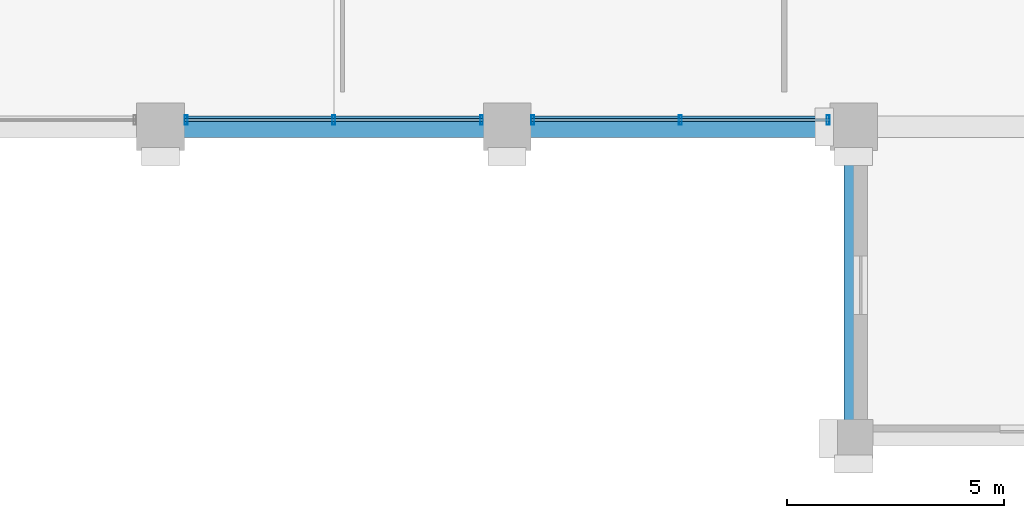
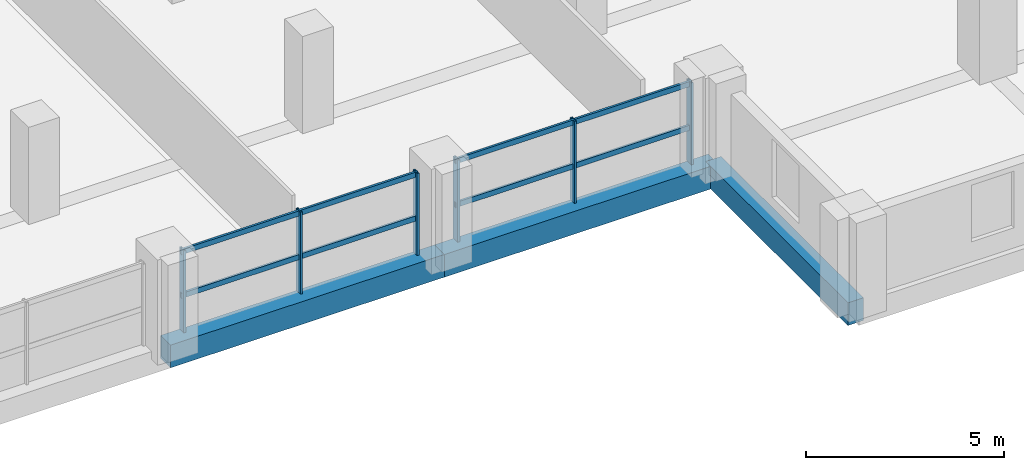
# One storey, part 6 of 21: 10 members, 3 beams, 2 elements without a shape of their own.
"""IFC4 building model written with IfcOpenShell, lengths in metres."""

from ifc_helpers import new_model, si_unit, direction, frame, origin, origin_2d, place, context, subcontext, project, spatial, rectangle, hollow_rectangle, extrude, material, material_profile, profile_set, type_object, element, aggregate, save


model = new_model("IFC4")

# Units and contexts
model_context = context("Model", 3, precision=1e-05, world=origin(), true_north=direction((0.0, 1.0)))
body_context = subcontext(model_context, "Body", "Model", "MODEL_VIEW")
ifc_project = project(units=[si_unit("LENGTHUNIT", "METRE"), si_unit("AREAUNIT", "SQUARE_METRE"), si_unit("VOLUMEUNIT", "CUBIC_METRE"), si_unit("PLANEANGLEUNIT", "RADIAN"), si_unit("MASSUNIT", "GRAM", prefix="KILO")], contexts=[model_context])

# Site, building, storey
site_placement = place(None, origin())
site = spatial("IfcSite", under=ifc_project, at=site_placement, CompositionType="ELEMENT")
building_placement = place(site_placement, origin())
building = spatial("IfcBuilding", under=site, at=building_placement, Name="Akrevak Sports Hall", CompositionType="ELEMENT")
storey_placement = place(building_placement, frame((0.0, 0.0, 34.050048828125)))
storey = spatial("IfcBuildingStorey", under=building, at=storey_placement, Name="L07", CompositionType="ELEMENT", Elevation=34.050048828125)

# Curtain wall, members
ifc_material_1 = material(Name="Anodized Bronze Aluminium & Low-E Glass", Category="aluminium")
curtain_wall_type = type_object("IfcCurtainWallType", Name="ARC-CW-TWR-56x30", PredefinedType="NOTDEFINED", material=ifc_material_1)
curtain_wall_1_placement = place(storey_placement, origin())
curtain_wall_1 = element("IfcCurtainWall", 1, at=curtain_wall_1_placement, inside=storey, type_object=curtain_wall_type, Name="Curtain Wall CW-L07-S06", PredefinedType="NOTDEFINED")
ifc_material_2 = material(Name="Anodized Bronze Aluminium", Category="aluminium")
ifc_material_profile_1 = material_profile(ifc_material_2, hollow_rectangle(XDim=0.06494140625, YDim=0.219970703125, WallThickness=0.00439453125, at=origin_2d()), Name="CWM 65x220", Category="aluminium")
ifc_profile_set_1 = profile_set([ifc_material_profile_1], Name="Anodized Bronze Aluminium")
member_type_1 = type_object("IfcMemberType", Name="ARC-CWM-70x160", PredefinedType="MULLION", material=ifc_profile_set_1)
member_1_placement = place(storey_placement, frame((76.590087890625, 28.9599609375, 0.0), z_axis=(0.0, 0.0, 1.0), x_axis=(1.0, 0.0, 0.0)))
member_1 = element("IfcMember", 2, at=member_1_placement, type_object=member_type_1, Name="Curtain Wall Mullion CW-L07-S06-M1", PredefinedType="MULLION", context=body_context, shape_type="SweptSolid", body=[
    extrude(hollow_rectangle(XDim=0.06494140625, YDim=0.219970703125, WallThickness=0.00439453125, at=origin_2d()), origin(), (0.0, 0.0, 1.0), 2.530029296875),
])
member_2_placement = place(storey_placement, frame((80.0, 28.9599609375, 0.0), z_axis=(0.0, 0.0, 1.0), x_axis=(1.0, 0.0, 0.0)))
member_2 = element("IfcMember", 3, at=member_2_placement, type_object=member_type_1, Name="Curtain Wall Mullion CW-L07-S06-M2", PredefinedType="MULLION", context=body_context, shape_type="SweptSolid", body=[
    extrude(hollow_rectangle(XDim=0.06494140625, YDim=0.219970703125, WallThickness=0.00439453125, at=origin_2d()), origin(), (0.0, 0.0, 1.0), 2.530029296875),
])
member_3_placement = place(storey_placement, frame((83.409912109375, 28.9599609375, 0.0), z_axis=(0.0, 0.0, 1.0), x_axis=(1.0, 0.0, 0.0)))
member_3 = element("IfcMember", 4, at=member_3_placement, type_object=member_type_1, Name="Curtain Wall Mullion CW-L07-S06-M3", PredefinedType="MULLION", context=body_context, shape_type="SweptSolid", body=[
    extrude(hollow_rectangle(XDim=0.06494140625, YDim=0.219970703125, WallThickness=0.00439453125, at=origin_2d()), origin(), (0.0, 0.0, 1.0), 2.530029296875),
])

curtain_wall_2_placement = place(storey_placement, origin())
curtain_wall_2 = element("IfcCurtainWall", 5, at=curtain_wall_2_placement, inside=storey, type_object=curtain_wall_type, Name="Curtain Wall CW-L07-S07", PredefinedType="NOTDEFINED")
member_4_placement = place(storey_placement, frame((84.590087890625, 28.9599609375, 0.0), z_axis=(0.0, 0.0, 1.0), x_axis=(1.0, 0.0, 0.0)))
member_4 = element("IfcMember", 6, at=member_4_placement, type_object=member_type_1, Name="Curtain Wall Mullion CW-L07-S07-M1", PredefinedType="MULLION", context=body_context, shape_type="SweptSolid", body=[
    extrude(hollow_rectangle(XDim=0.06494140625, YDim=0.219970703125, WallThickness=0.00439453125, at=origin_2d()), origin(), (0.0, 0.0, 1.0), 2.530029296875),
])
member_5_placement = place(storey_placement, frame((88.0, 28.9599609375, 0.0), z_axis=(0.0, 0.0, 1.0), x_axis=(1.0, 0.0, 0.0)))
member_5 = element("IfcMember", 7, at=member_5_placement, type_object=member_type_1, Name="Curtain Wall Mullion CW-L07-S07-M2", PredefinedType="MULLION", context=body_context, shape_type="SweptSolid", body=[
    extrude(hollow_rectangle(XDim=0.06494140625, YDim=0.219970703125, WallThickness=0.00439453125, at=origin_2d()), origin(), (0.0, 0.0, 1.0), 2.530029296875),
])
member_6_placement = place(storey_placement, frame((91.409912109375, 28.9599609375, 0.0), z_axis=(0.0, 0.0, 1.0), x_axis=(1.0, 0.0, 0.0)))
member_6 = element("IfcMember", 8, at=member_6_placement, type_object=member_type_1, Name="Curtain Wall Mullion CW-L07-S07-M3", PredefinedType="MULLION", context=body_context, shape_type="SweptSolid", body=[
    extrude(hollow_rectangle(XDim=0.06494140625, YDim=0.219970703125, WallThickness=0.00439453125, at=origin_2d()), origin(), (0.0, 0.0, 1.0), 2.530029296875),
])

# Member
ifc_material_profile_2 = material_profile(ifc_material_2, hollow_rectangle(XDim=0.06494140625, YDim=0.159912109375, WallThickness=0.00390625, at=origin_2d()), Name="CWT 65x160", Category="aluminium")
ifc_profile_set_2 = profile_set([ifc_material_profile_2], Name="Anodized Bronze Aluminium")
member_type_2 = type_object("IfcMemberType", Name="ARC-CWT-70x130", PredefinedType="USERDEFINED", material=ifc_profile_set_2)
member_7_placement = place(storey_placement, frame((76.550048828125, 28.9599609375, 1.099853515625), z_axis=(1.0, 0.0, 0.0), x_axis=(0.0, 1.0, 0.0)))
member_7 = element("IfcMember", 9, at=member_7_placement, type_object=member_type_2, Name="Curtain Wall Transom CW-L07-S06-T1", ObjectType="TRANSOM", PredefinedType="USERDEFINED", context=body_context, shape_type="SweptSolid", body=[
    extrude(hollow_rectangle(XDim=0.06494140625, YDim=0.159912109375, WallThickness=0.00390625, at=origin_2d()), origin(), (0.0, 0.0, 1.0), 6.89990234375),
])

member_8_placement = place(storey_placement, frame((76.550048828125, 28.9599609375, 2.449951171875), z_axis=(1.0, 0.0, 0.0), x_axis=(0.0, 1.0, 0.0)))
member_8 = element("IfcMember", 10, at=member_8_placement, type_object=member_type_2, Name="Curtain Wall Transom CW-L07-S06-T2", ObjectType="TRANSOM", PredefinedType="USERDEFINED", context=body_context, shape_type="SweptSolid", body=[
    extrude(hollow_rectangle(XDim=0.06494140625, YDim=0.159912109375, WallThickness=0.00390625, at=origin_2d()), origin(), (0.0, 0.0, 1.0), 6.89990234375),
])

aggregate(curtain_wall_1, [member_1, member_2, member_3, member_7, member_8])

member_9_placement = place(storey_placement, frame((84.550048828125, 28.9599609375, 1.099853515625), z_axis=(1.0, 0.0, 0.0), x_axis=(0.0, 1.0, 0.0)))
member_9 = element("IfcMember", 11, at=member_9_placement, type_object=member_type_2, Name="Curtain Wall Transom CW-L07-S07-T1", ObjectType="TRANSOM", PredefinedType="USERDEFINED", context=body_context, shape_type="SweptSolid", body=[
    extrude(hollow_rectangle(XDim=0.06494140625, YDim=0.159912109375, WallThickness=0.00390625, at=origin_2d()), origin(), (0.0, 0.0, 1.0), 6.89990234375),
])

member_10_placement = place(storey_placement, frame((84.550048828125, 28.9599609375, 2.449951171875), z_axis=(1.0, 0.0, 0.0), x_axis=(0.0, 1.0, 0.0)))
member_10 = element("IfcMember", 12, at=member_10_placement, type_object=member_type_2, Name="Curtain Wall Transom CW-L07-S07-T2", ObjectType="TRANSOM", PredefinedType="USERDEFINED", context=body_context, shape_type="SweptSolid", body=[
    extrude(hollow_rectangle(XDim=0.06494140625, YDim=0.159912109375, WallThickness=0.00390625, at=origin_2d()), origin(), (0.0, 0.0, 1.0), 6.89990234375),
])

aggregate(curtain_wall_2, [member_4, member_5, member_6, member_9, member_10])

# Beams
ifc_material_3 = material(Name="Concrete C40/50", Category="concrete")
ifc_material_profile_3 = material_profile(ifc_material_3, rectangle(XDim=0.449951171875, YDim=0.699951171875, at=origin_2d()), Name="BM 450x700", Category="concrete")
ifc_profile_set_3 = profile_set([ifc_material_profile_3], Name="Concrete C40/50")
beam_type_1 = type_object("IfcBeamType", Name="STR-BM-RC450x700", PredefinedType="BEAM", material=ifc_profile_set_3)
beam_placement = place(storey_placement, frame((92.0, 21.60009765625, -0.35009765625), z_axis=(0.0, 1.0, 0.0), x_axis=(-1.0, 0.0, 0.0)))
element("IfcBeam", 13, at=beam_placement, inside=storey, type_object=beam_type_1, Name="Girder 13/D-E (L07)", PredefinedType="BEAM", context=body_context, shape_type="SweptSolid", body=[
    extrude(rectangle(XDim=0.449951171875, YDim=0.699951171875, at=origin_2d()), origin(), (0.0, 0.0, 1.0), 7.199951171875),
])
ifc_material_profile_4 = material_profile(ifc_material_3, rectangle(XDim=0.5, YDim=0.699951171875, at=origin_2d()), Name="BM 500x700", Category="concrete")
ifc_profile_set_4 = profile_set([ifc_material_profile_4], Name="Concrete C40/50")
beam_type_2 = type_object("IfcBeamType", Name="STR-BM-RC500x700", PredefinedType="BEAM", material=ifc_profile_set_4)
for number, where, z_axis, x_axis, name in (
    (14, (76.0, 28.800048828125, -0.35009765625), (1.0, 0.0, 0.0), (0.0, 1.0, 0.0), "Girder E/11-12 (L07)"),
    (15, (84.0, 28.800048828125, -0.35009765625), (1.0, 0.0, 0.0), (0.0, 1.0, 0.0), "Girder E/12-13 (L07)"),
):
    element("IfcBeam", number, at=place(storey_placement, frame(where, z_axis=z_axis, x_axis=x_axis)), inside=storey, type_object=beam_type_2, Name=name, PredefinedType="BEAM", context=body_context, shape_type="SweptSolid", body=[
        extrude(rectangle(XDim=0.5, YDim=0.699951171875, at=origin_2d()), origin(), (0.0, 0.0, 1.0), 8.0),
    ])

save(model, "model.ifc")
